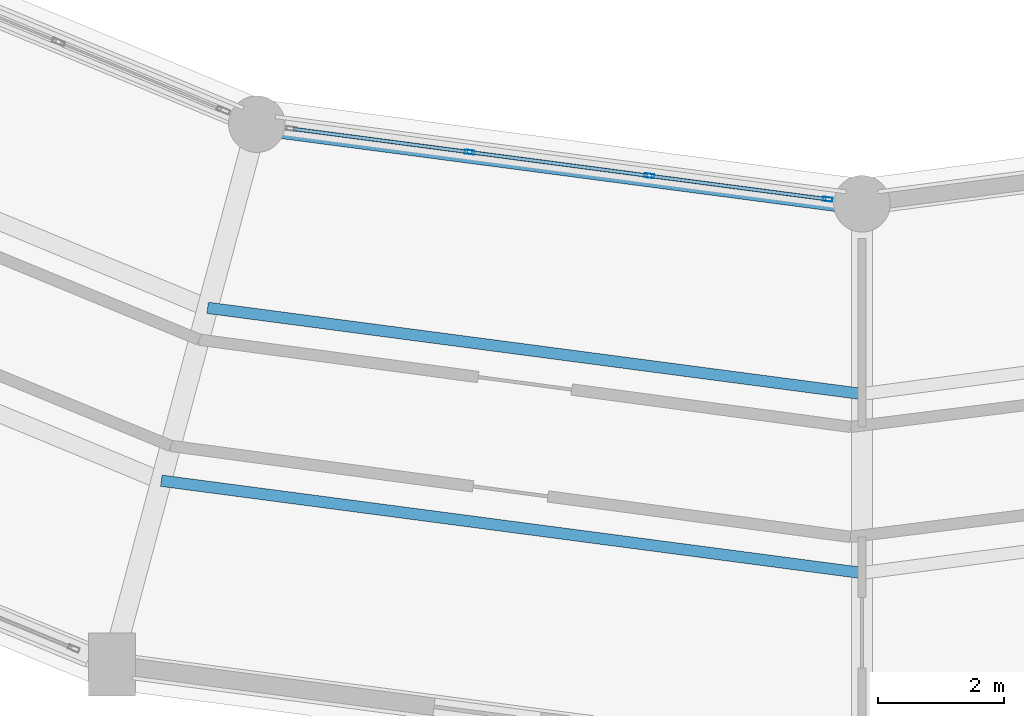
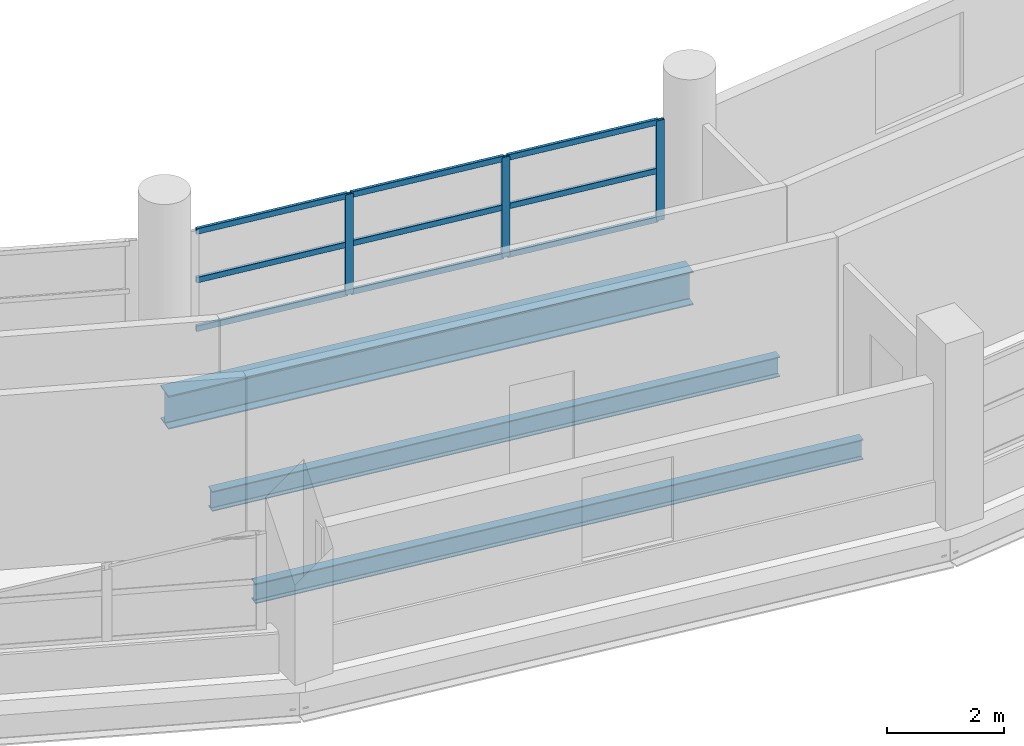
# One storey, part 23 of 88: 12 members, 3 beams, 1 element without a shape of its own.
"""IFC4 building model written with IfcOpenShell, lengths in metres."""

from ifc_helpers import new_model, si_unit, direction, frame, origin, origin_2d, place, context, subcontext, project, spatial, hollow_rectangle, i_section, extrude, material, layer, layer_set, material_profile, profile_set, type_object, element, aggregate, save


model = new_model("IFC4")

# Units and contexts
model_context = context("Model", 3, precision=1e-05, world=origin(), true_north=direction((0.0, 1.0)))
body_context = subcontext(model_context, "Body", "Model", "MODEL_VIEW")
ifc_project = project(units=[si_unit("LENGTHUNIT", "METRE"), si_unit("AREAUNIT", "SQUARE_METRE"), si_unit("VOLUMEUNIT", "CUBIC_METRE"), si_unit("PLANEANGLEUNIT", "RADIAN"), si_unit("MASSUNIT", "GRAM", prefix="KILO")], contexts=[model_context])

# Site, building, storey
site_placement = place(None, origin())
site = spatial("IfcSite", under=ifc_project, at=site_placement, CompositionType="ELEMENT")
building_placement = place(site_placement, origin())
building = spatial("IfcBuilding", under=site, at=building_placement, Name="Vespera Passage Community Centre", CompositionType="ELEMENT")
storey_placement = place(building_placement, frame((0.0, 0.0, 16.5)))
storey = spatial("IfcBuildingStorey", under=building, at=storey_placement, Name="L04", CompositionType="ELEMENT", Elevation=16.5)

# Beams
ifc_material_1 = material(Name="Steel ASTM A992 Grade 50", Category="steel")
ifc_material_profile_1 = material_profile(ifc_material_1, i_section(OverallWidth=0.180908203125, OverallDepth=0.417236328125, WebThickness=0.010986328125, FlangeThickness=0.018310546875, FilletRadius=0.01025390625, at=origin_2d()), Name="W16X57")
ifc_profile_set_1 = profile_set([ifc_material_profile_1], Name="Steel ASTM A992 Grade 50")
beam_type_1 = type_object("IfcBeamType", Name="BM-J-W16X57", PredefinedType="JOIST", material=ifc_profile_set_1)
beam_1_placement = place(storey_placement, frame((67.588623046875, 26.644775390625, -0.5087890625), z_axis=(0.991442817683, -0.130541714651, 0.0), x_axis=(0.130541714651, 0.991442817683, 0.0)))
element("IfcBeam", 1, at=beam_1_placement, inside=storey, type_object=beam_type_1, Name="V4 L04 Floor Joist 17.1", PredefinedType="JOIST", context=body_context, shape_type="SweptSolid", body=[
    extrude(i_section(OverallWidth=0.180908203125, OverallDepth=0.417236328125, WebThickness=0.010986328125, FlangeThickness=0.018310546875, FilletRadius=0.01025390625, at=origin_2d()), origin(), (0.0, 0.0, 1.0), 10.501220703125),
])
beam_2_placement = place(storey_placement, frame((66.8515625, 23.893798828125, -0.5087890625), z_axis=(0.991444242244, -0.130530894892, 0.0), x_axis=(0.130530894892, 0.991444242244, 0.0)))
element("IfcBeam", 2, at=beam_2_placement, inside=storey, type_object=beam_type_1, Name="V4 L04 Floor Joist 17.2", PredefinedType="JOIST", context=body_context, shape_type="SweptSolid", body=[
    extrude(i_section(OverallWidth=0.180908203125, OverallDepth=0.417236328125, WebThickness=0.010986328125, FlangeThickness=0.018310546875, FilletRadius=0.01025390625, at=origin_2d()), origin(), (0.0, 0.0, 1.0), 11.24462890625),
])
ifc_material_2 = material(Name="Steel ASTM A992 Grade 50", Category="steel")
ifc_material_profile_2 = material_profile(ifc_material_2, i_section(OverallWidth=0.3544921875, OverallDepth=0.695556640625, WebThickness=0.015380859375, FlangeThickness=0.024658203125, FilletRadius=0.01513671875, at=origin_2d()), Name="W27X146")
ifc_profile_set_2 = profile_set([ifc_material_profile_2], Name="Steel ASTM A992 Grade 50")
beam_type_2 = type_object("IfcBeamType", Name="BM-SP-W27X146E", PredefinedType="SPANDREL", material=ifc_profile_set_2)
beam_3_placement = place(storey_placement, frame((68.371826171875, 29.567626953125, -0.647705078125), z_axis=(0.991444794834, -0.130526697639, 0.0), x_axis=(0.130526697639, 0.991444794834, 0.0)))
element("IfcBeam", 3, at=beam_3_placement, inside=storey, type_object=beam_type_2, Name="V4 L04 Inner Spandrel 17", PredefinedType="SPANDREL", context=body_context, shape_type="SweptSolid", body=[
    extrude(i_section(OverallWidth=0.3544921875, OverallDepth=0.695556640625, WebThickness=0.015380859375, FlangeThickness=0.024658203125, FilletRadius=0.01513671875, at=origin_2d()), origin(), (0.0, 0.0, 1.0), 9.711181640625),
])

# Curtain wall, members
ifc_material_3 = material(Name="Anodized aluminium 6063-T6", Category="aluminium")
ifc_layer = layer(ifc_material_3, 0.159912109375)
ifc_layer_set = layer_set([ifc_layer], Name="Anodized aluminium 6063-T6")
curtain_wall_type = type_object("IfcCurtainWallType", Name="CW-58E", PredefinedType="NOTDEFINED", material=ifc_layer_set)
curtain_wall_placement = place(storey_placement, origin())
curtain_wall = element("IfcCurtainWall", 4, at=curtain_wall_placement, inside=storey, type_object=curtain_wall_type, Name="V4 L04 Inner Court Curtain Wall 17", PredefinedType="NOTDEFINED")
ifc_material_4 = material(Name="Anodized aluminium 6063-T6", Category="aluminium")
ifc_material_profile_3 = material_profile(ifc_material_4, hollow_rectangle(XDim=0.06494140625, YDim=0.14990234375, WallThickness=0.00390625, InnerFilletRadius=0.001953125, OuterFilletRadius=0.00390625, at=origin_2d()), Name="ALU150X65X4")
ifc_profile_set_3 = profile_set([ifc_material_profile_3], Name="Anodized aluminium 6063-T6")
member_type_1 = type_object("IfcMemberType", Name="MB-CWM-150E", PredefinedType="MULLION", material=ifc_profile_set_3)
member_1_placement = place(storey_placement, frame((71.75244140625, 29.12255859375, 0.820068359375), z_axis=(0.0, 0.0, 1.0), x_axis=(0.1305221941, 0.991445387728, 0.0)))
member_1 = element("IfcMember", 5, at=member_1_placement, type_object=member_type_1, Name="CW-58E mullion 2", PredefinedType="MULLION", context=body_context, shape_type="SweptSolid", body=[
    extrude(hollow_rectangle(XDim=0.06494140625, YDim=0.14990234375, WallThickness=0.00390625, InnerFilletRadius=0.001953125, OuterFilletRadius=0.00390625, at=origin_2d()), origin(), (0.0, 0.0, 1.0), 2.08935546875),
])
member_2_placement = place(storey_placement, frame((74.61962890625, 28.7451171875, 0.820068359375), z_axis=(0.0, 0.0, 1.0), x_axis=(0.1305221941, 0.991445387728, 0.0)))
member_2 = element("IfcMember", 6, at=member_2_placement, type_object=member_type_1, Name="CW-58E mullion 3", PredefinedType="MULLION", context=body_context, shape_type="SweptSolid", body=[
    extrude(hollow_rectangle(XDim=0.06494140625, YDim=0.14990234375, WallThickness=0.00390625, InnerFilletRadius=0.001953125, OuterFilletRadius=0.00390625, at=origin_2d()), origin(), (0.0, 0.0, 1.0), 2.08935546875),
])
member_3_placement = place(storey_placement, frame((77.45458984375, 28.371826171875, 0.820068359375), z_axis=(0.0, 0.0, 1.0), x_axis=(0.1305221941, 0.991445387728, 0.0)))
member_3 = element("IfcMember", 7, at=member_3_placement, type_object=member_type_1, Name="CW-58E mullion 4", PredefinedType="MULLION", context=body_context, shape_type="SweptSolid", body=[
    extrude(hollow_rectangle(XDim=0.06494140625, YDim=0.14990234375, WallThickness=0.00390625, InnerFilletRadius=0.001953125, OuterFilletRadius=0.00390625, at=origin_2d()), origin(), (0.0, 0.0, 1.0), 2.08935546875),
])
ifc_material_5 = material(Name="Anodized aluminium 6063-T6", Category="aluminium")
ifc_material_profile_4 = material_profile(ifc_material_5, hollow_rectangle(XDim=0.06005859375, YDim=0.1201171875, WallThickness=0.00390625, InnerFilletRadius=0.001953125, OuterFilletRadius=0.00390625, at=origin_2d()), Name="ALU120X60X4")
ifc_profile_set_4 = profile_set([ifc_material_profile_4], Name="Anodized aluminium 6063-T6")
member_type_2 = type_object("IfcMemberType", Name="MB-CWT-120E", PredefinedType="USERDEFINED", material=ifc_profile_set_4)
member_4_placement = place(storey_placement, frame((68.949462890625, 29.491455078125, 0.85009765625), z_axis=(0.991446265366, -0.130515527399, 0.0), x_axis=(0.130515527399, 0.991446265366, 0.0)))
member_4 = element("IfcMember", 8, at=member_4_placement, type_object=member_type_2, Name="CW-58E transom 1.1", ObjectType="TRANSOM", PredefinedType="USERDEFINED", context=body_context, shape_type="SweptSolid", body=[
    extrude(hollow_rectangle(XDim=0.06005859375, YDim=0.1201171875, WallThickness=0.00390625, InnerFilletRadius=0.001953125, OuterFilletRadius=0.00390625, at=origin_2d()), origin(), (0.0, 0.0, 1.0), 2.794677734375),
])
member_5_placement = place(storey_placement, frame((68.949462890625, 29.491455078125, 1.86474609375), z_axis=(0.991446265366, -0.130515527399, 0.0), x_axis=(0.130515527399, 0.991446265366, 0.0)))
member_5 = element("IfcMember", 9, at=member_5_placement, type_object=member_type_2, Name="CW-58E transom 1.2", ObjectType="TRANSOM", PredefinedType="USERDEFINED", context=body_context, shape_type="SweptSolid", body=[
    extrude(hollow_rectangle(XDim=0.06005859375, YDim=0.1201171875, WallThickness=0.00390625, InnerFilletRadius=0.001953125, OuterFilletRadius=0.00390625, at=origin_2d()), origin(), (0.0, 0.0, 1.0), 2.794677734375),
])
member_6_placement = place(storey_placement, frame((68.949462890625, 29.491455078125, 2.87939453125), z_axis=(0.991446265366, -0.130515527399, 0.0), x_axis=(0.130515527399, 0.991446265366, 0.0)))
member_6 = element("IfcMember", 10, at=member_6_placement, type_object=member_type_2, Name="CW-58E transom 1.3", ObjectType="TRANSOM", PredefinedType="USERDEFINED", context=body_context, shape_type="SweptSolid", body=[
    extrude(hollow_rectangle(XDim=0.06005859375, YDim=0.1201171875, WallThickness=0.00390625, InnerFilletRadius=0.001953125, OuterFilletRadius=0.00390625, at=origin_2d()), origin(), (0.0, 0.0, 1.0), 2.794677734375),
])
member_7_placement = place(storey_placement, frame((71.78466796875, 29.118408203125, 0.85009765625), z_axis=(0.991437826512, -0.130579616175, 0.0), x_axis=(0.130579616175, 0.991437826512, 0.0)))
member_7 = element("IfcMember", 11, at=member_7_placement, type_object=member_type_2, Name="CW-58E transom 2.1", ObjectType="TRANSOM", PredefinedType="USERDEFINED", context=body_context, shape_type="SweptSolid", body=[
    extrude(hollow_rectangle(XDim=0.06005859375, YDim=0.1201171875, WallThickness=0.00390625, InnerFilletRadius=0.001953125, OuterFilletRadius=0.00390625, at=origin_2d()), origin(), (0.0, 0.0, 1.0), 2.826904296875),
])
member_8_placement = place(storey_placement, frame((71.78466796875, 29.118408203125, 1.86474609375), z_axis=(0.991437826512, -0.130579616175, 0.0), x_axis=(0.130579616175, 0.991437826512, 0.0)))
member_8 = element("IfcMember", 12, at=member_8_placement, type_object=member_type_2, Name="CW-58E transom 2.2", ObjectType="TRANSOM", PredefinedType="USERDEFINED", context=body_context, shape_type="SweptSolid", body=[
    extrude(hollow_rectangle(XDim=0.06005859375, YDim=0.1201171875, WallThickness=0.00390625, InnerFilletRadius=0.001953125, OuterFilletRadius=0.00390625, at=origin_2d()), origin(), (0.0, 0.0, 1.0), 2.826904296875),
])
member_9_placement = place(storey_placement, frame((71.78466796875, 29.118408203125, 2.87939453125), z_axis=(0.991437826512, -0.130579616175, 0.0), x_axis=(0.130579616175, 0.991437826512, 0.0)))
member_9 = element("IfcMember", 13, at=member_9_placement, type_object=member_type_2, Name="CW-58E transom 2.3", ObjectType="TRANSOM", PredefinedType="USERDEFINED", context=body_context, shape_type="SweptSolid", body=[
    extrude(hollow_rectangle(XDim=0.06005859375, YDim=0.1201171875, WallThickness=0.00390625, InnerFilletRadius=0.001953125, OuterFilletRadius=0.00390625, at=origin_2d()), origin(), (0.0, 0.0, 1.0), 2.826904296875),
])
member_10_placement = place(storey_placement, frame((74.65185546875, 28.74072265625, 0.85009765625), z_axis=(0.991444777059, -0.130526832651, 0.0), x_axis=(0.130526832651, 0.991444777059, 0.0)))
member_10 = element("IfcMember", 14, at=member_10_placement, type_object=member_type_2, Name="CW-58E transom 3.1", ObjectType="TRANSOM", PredefinedType="USERDEFINED", context=body_context, shape_type="SweptSolid", body=[
    extrude(hollow_rectangle(XDim=0.06005859375, YDim=0.1201171875, WallThickness=0.00390625, InnerFilletRadius=0.001953125, OuterFilletRadius=0.00390625, at=origin_2d()), origin(), (0.0, 0.0, 1.0), 2.79443359375),
])
member_11_placement = place(storey_placement, frame((74.65185546875, 28.74072265625, 1.86474609375), z_axis=(0.991444777059, -0.130526832651, 0.0), x_axis=(0.130526832651, 0.991444777059, 0.0)))
member_11 = element("IfcMember", 15, at=member_11_placement, type_object=member_type_2, Name="CW-58E transom 3.2", ObjectType="TRANSOM", PredefinedType="USERDEFINED", context=body_context, shape_type="SweptSolid", body=[
    extrude(hollow_rectangle(XDim=0.06005859375, YDim=0.1201171875, WallThickness=0.00390625, InnerFilletRadius=0.001953125, OuterFilletRadius=0.00390625, at=origin_2d()), origin(), (0.0, 0.0, 1.0), 2.79443359375),
])
member_12_placement = place(storey_placement, frame((74.65185546875, 28.74072265625, 2.87939453125), z_axis=(0.991444777059, -0.130526832651, 0.0), x_axis=(0.130526832651, 0.991444777059, 0.0)))
member_12 = element("IfcMember", 16, at=member_12_placement, type_object=member_type_2, Name="CW-58E transom 3.3", ObjectType="TRANSOM", PredefinedType="USERDEFINED", context=body_context, shape_type="SweptSolid", body=[
    extrude(hollow_rectangle(XDim=0.06005859375, YDim=0.1201171875, WallThickness=0.00390625, InnerFilletRadius=0.001953125, OuterFilletRadius=0.00390625, at=origin_2d()), origin(), (0.0, 0.0, 1.0), 2.79443359375),
])
aggregate(curtain_wall, [member_1, member_2, member_3, member_4, member_5, member_6, member_7, member_8, member_9, member_10, member_11, member_12])

save(model, "model.ifc")
